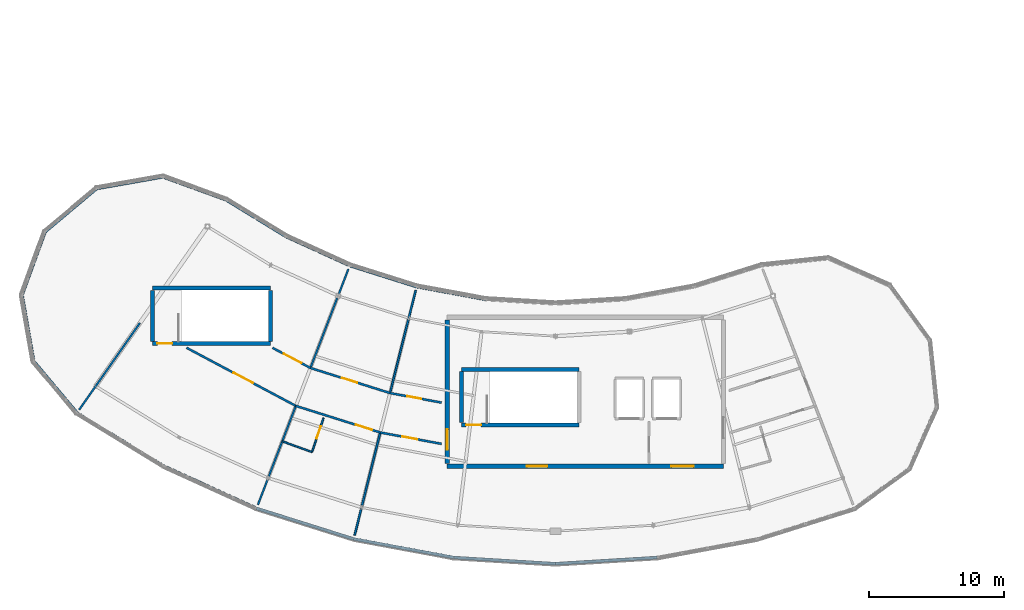
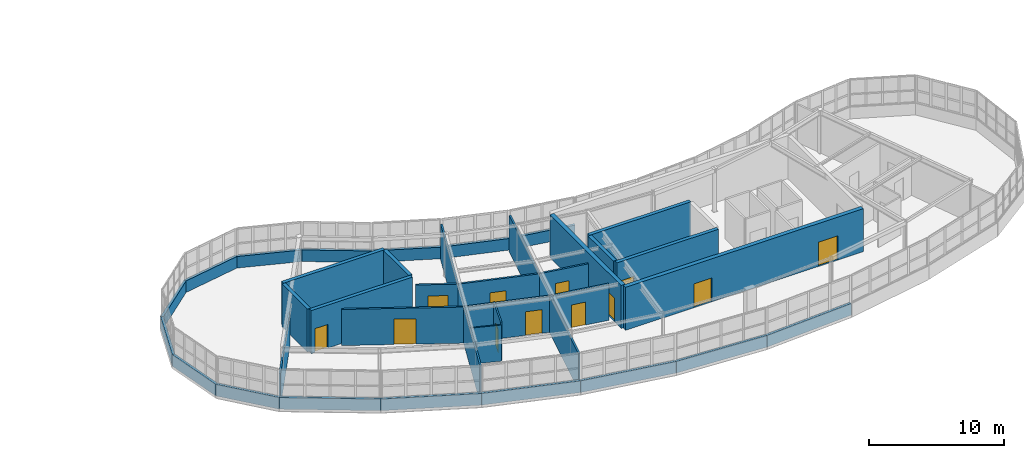
# One storey, part 53 of 60: 38 walls, 12 doors, 12 openings.
"""IFC4 building model written with IfcOpenShell, lengths in metres."""

from ifc_helpers import new_model, si_unit, direction, frame, frame_2d, origin, place, context, subcontext, project, spatial, rectangle, extrude, material, layer, layer_set, type_object, element, fill, save


model = new_model("IFC4")

# Units and contexts
model_context = context("Model", 3, precision=1e-05, world=origin(), true_north=direction((0.0, 1.0)))
body_context = subcontext(model_context, "Body", "Model", "MODEL_VIEW")
ifc_project = project(units=[si_unit("LENGTHUNIT", "METRE"), si_unit("AREAUNIT", "SQUARE_METRE"), si_unit("VOLUMEUNIT", "CUBIC_METRE"), si_unit("PLANEANGLEUNIT", "RADIAN"), si_unit("MASSUNIT", "GRAM", prefix="KILO")], contexts=[model_context])

# Site, building, storey
site_placement = place(None, origin())
site = spatial("IfcSite", under=ifc_project, at=site_placement, CompositionType="ELEMENT")
building_placement = place(site_placement, origin())
building = spatial("IfcBuilding", under=site, at=building_placement, Name="Tarnwether General Hospital", CompositionType="ELEMENT")
storey_placement = place(building_placement, frame((0.0, 0.0, 26.10009765625)))
storey = spatial("IfcBuildingStorey", under=building, at=storey_placement, Name="L06", CompositionType="ELEMENT", Elevation=26.10009765625)

# Walls
ifc_material_1 = material(Name="Streamlined white enamelled aluminium", Category="aluminium")
ifc_layer_1 = layer(ifc_material_1, 0.219970703125)
ifc_layer_set_1 = layer_set([ifc_layer_1], Name="Streamlined white enamelled aluminium")
wall_type_1 = type_object("IfcWallType", Name="WL-EX220", PredefinedType="STANDARD", material=ifc_layer_set_1)
wall_1_placement = place(storey_placement, frame((63.0810546875, 8.610107421875, 0.0), z_axis=(0.0, 0.0, 1.0), x_axis=(-0.852640903338, 0.522497358803, 0.0)))
element("IfcWall", 1, at=wall_1_placement, inside=storey, type_object=wall_type_1, Name="Ward SE Streamlined White Spandrel EW-L06-0247", PredefinedType="STANDARD", context=body_context, shape_type="SweptSolid", body=[
    extrude(rectangle(XDim=7.521484375, YDim=0.219970703125, at=frame_2d((3.7607421875, 0.0))), origin(), (0.0, 0.0, 1.0), 1.0498046875),
])
wall_2_placement = place(storey_placement, frame((69.925048828125, 5.490966796875, 0.0), z_axis=(0.0, 0.0, 1.0), x_axis=(-0.909953604353, 0.414710064895, 0.0)))
element("IfcWall", 2, at=wall_2_placement, inside=storey, type_object=wall_type_1, Name="Ward SE Streamlined White Spandrel EW-L06-0248", PredefinedType="STANDARD", context=body_context, shape_type="SweptSolid", body=[
    extrude(rectangle(XDim=7.521240234375, YDim=0.219970703125, at=frame_2d((3.7607421875, 0.0))), origin(), (0.0, 0.0, 1.0), 1.0498046875),
])
wall_3_placement = place(storey_placement, frame((77.097900390625, 3.22998046875, 0.0), z_axis=(0.0, 0.0, 1.0), x_axis=(-0.953740021466, 0.300632618747, 0.0)))
element("IfcWall", 3, at=wall_3_placement, inside=storey, type_object=wall_type_1, Name="Ward SE Streamlined White Spandrel EW-L06-0249", PredefinedType="STANDARD", context=body_context, shape_type="SweptSolid", body=[
    extrude(rectangle(XDim=7.520751953125, YDim=0.219970703125, at=frame_2d((3.76025390625, 0.0))), origin(), (0.0, 0.0, 1.0), 1.0498046875),
])
for number, where, z_axis, x_axis, name in (
    (4, (84.492919921875, 1.85888671875, 0.0), (0.0, 0.0, 1.0), (-0.983242805192, 0.18230081195, 0.0), "Ward SE Streamlined White Spandrel EW-L06-0250"),
    (5, (92.0, 1.39990234375, 0.0), (0.0, 0.0, 1.0), (-0.99813616181, 0.061026244242, 0.0), "Ward SE Streamlined White Spandrel EW-L06-0251"),
    (6, (99.507080078125, 1.85888671875, 0.0), (0.0, 0.0, 1.0), (-0.99813616181, -0.061026244242, 0.0), "Ward SE Streamlined White Spandrel EW-L06-0252"),
):
    element("IfcWall", number, at=place(storey_placement, frame(where, z_axis=z_axis, x_axis=x_axis)), inside=storey, type_object=wall_type_1, Name=name, PredefinedType="STANDARD", context=body_context, shape_type="SweptSolid", body=[
        extrude(rectangle(XDim=7.52099609375, YDim=0.219970703125, at=frame_2d((3.760498046875, 0.0))), origin(), (0.0, 0.0, 1.0), 1.0498046875),
    ])
wall_4_placement = place(storey_placement, frame((81.742919921875, 21.85888671875, 0.0), z_axis=(0.0, 0.0, 1.0), x_axis=(0.98327293422, -0.182138235501, 0.0)))
element("IfcWall", 7, at=wall_4_placement, inside=storey, type_object=wall_type_1, Name="Ward SE Streamlined White Spandrel EW-L06-0265", PredefinedType="STANDARD", context=body_context, shape_type="SweptSolid", body=[
    extrude(rectangle(XDim=5.1767578125, YDim=0.219970703125, at=frame_2d((2.58837890625, 0.0))), origin(), (0.0, 0.0, 1.0), 1.0498046875),
])
wall_5_placement = place(storey_placement, frame((76.804931640625, 23.416015625, 0.0), z_axis=(0.0, 0.0, 1.0), x_axis=(0.953706582316, -0.300738681994, 0.0)))
element("IfcWall", 8, at=wall_5_placement, inside=storey, type_object=wall_type_1, Name="Ward SE Streamlined White Spandrel EW-L06-0266", PredefinedType="STANDARD", context=body_context, shape_type="SweptSolid", body=[
    extrude(rectangle(XDim=5.177734375, YDim=0.219970703125, at=frame_2d((2.5888671875, 0.0))), origin(), (0.0, 0.0, 1.0), 1.0498046875),
])
for number, where, z_axis, x_axis, name in (
    (9, (72.093994140625, 25.56298828125, 0.0), (0.0, 0.0, 1.0), (0.909955822384, -0.414705198074, 0.0), "Ward SE Streamlined White Spandrel EW-L06-0267"),
    (10, (67.679931640625, 28.26806640625, 0.0), (0.0, 0.0, 1.0), (0.852628362135, -0.522517823698, 0.0), "Ward SE Streamlined White Spandrel EW-L06-0268"),
):
    element("IfcWall", number, at=place(storey_placement, frame(where, z_axis=z_axis, x_axis=x_axis)), inside=storey, type_object=wall_type_1, Name=name, PredefinedType="STANDARD", context=body_context, shape_type="SweptSolid", body=[
        extrude(rectangle(XDim=5.177001953125, YDim=0.219970703125, at=frame_2d((2.58837890625, 0.0))), origin(), (0.0, 0.0, 1.0), 1.0498046875),
    ])
wall_6_placement = place(storey_placement, frame((63.010986328125, 29.968017578125, 0.0), z_axis=(0.0, 0.0, 1.0), x_axis=(0.939654190044, -0.34212571247, 0.0)))
element("IfcWall", 11, at=wall_6_placement, inside=storey, type_object=wall_type_1, Name="Ward SE Streamlined White Spandrel EW-L06-0269", PredefinedType="STANDARD", context=body_context, shape_type="SweptSolid", body=[
    extrude(rectangle(XDim=4.96875, YDim=0.219970703125, at=frame_2d((2.484375, 0.0))), origin(), (0.0, 0.0, 1.0), 1.0498046875),
])
wall_7_placement = place(storey_placement, frame((58.116943359375, 29.10498046875, 0.0), z_axis=(0.0, 0.0, 1.0), x_axis=(0.984804817938, 0.173664822479, 0.0)))
element("IfcWall", 12, at=wall_7_placement, inside=storey, type_object=wall_type_1, Name="Ward SE Streamlined White Spandrel EW-L06-0270", PredefinedType="STANDARD", context=body_context, shape_type="SweptSolid", body=[
    extrude(rectangle(XDim=4.969482421875, YDim=0.219970703125, at=frame_2d((2.48486328125, 0.0))), origin(), (0.0, 0.0, 1.0), 1.0498046875),
])
wall_8_placement = place(storey_placement, frame((54.31005859375, 25.909912109375, 0.0), z_axis=(0.0, 0.0, 1.0), x_axis=(0.765973821879, 0.642871763415, 0.0)))
element("IfcWall", 13, at=wall_8_placement, inside=storey, type_object=wall_type_1, Name="Ward SE Streamlined White Spandrel EW-L06-0271", PredefinedType="STANDARD", context=body_context, shape_type="SweptSolid", body=[
    extrude(rectangle(XDim=4.969970703125, YDim=0.219970703125, at=frame_2d((2.48486328125, 0.0))), origin(), (0.0, 0.0, 1.0), 1.0498046875),
])
wall_9_placement = place(storey_placement, frame((52.611083984375, 21.240966796875, 0.0), z_axis=(0.0, 0.0, 1.0), x_axis=(0.341952160632, 0.939717361678, 0.0)))
element("IfcWall", 14, at=wall_9_placement, inside=storey, type_object=wall_type_1, Name="Ward SE Streamlined White Spandrel EW-L06-0272", PredefinedType="STANDARD", context=body_context, shape_type="SweptSolid", body=[
    extrude(rectangle(XDim=4.968505859375, YDim=0.219970703125, at=frame_2d((2.484375, 0.0))), origin(), (0.0, 0.0, 1.0), 1.0498046875),
])
wall_10_placement = place(storey_placement, frame((53.472900390625, 16.346923828125, 0.0), z_axis=(0.0, 0.0, 1.0), x_axis=(-0.173426579259, 0.984846801085, 0.0)))
element("IfcWall", 15, at=wall_10_placement, inside=storey, type_object=wall_type_1, Name="Ward SE Streamlined White Spandrel EW-L06-0273", PredefinedType="STANDARD", context=body_context, shape_type="SweptSolid", body=[
    extrude(rectangle(XDim=4.96923828125, YDim=0.219970703125, at=frame_2d((2.484619140625, 0.0))), origin(), (0.0, 0.0, 1.0), 1.0498046875),
])
wall_11_placement = place(storey_placement, frame((56.66796875, 12.5400390625, 0.0), z_axis=(0.0, 0.0, 1.0), x_axis=(-0.642871763415, 0.765973821879, 0.0)))
element("IfcWall", 16, at=wall_11_placement, inside=storey, type_object=wall_type_1, Name="Ward SE Streamlined White Spandrel EW-L06-0274", PredefinedType="STANDARD", context=body_context, shape_type="SweptSolid", body=[
    extrude(rectangle(XDim=4.969970703125, YDim=0.219970703125, at=frame_2d((2.48486328125, 0.0))), origin(), (0.0, 0.0, 1.0), 1.0498046875),
])

# Wall, opening, door
ifc_material_2 = material(Name="Gypsum plasterboard")
ifc_layer_2 = layer(ifc_material_2, 0.1201171875)
ifc_layer_set_2 = layer_set([ifc_layer_2], Name="Gypsum plasterboard")
wall_type_2 = type_object("IfcWallType", Name="WL-PT120", PredefinedType="PARTITIONING", material=ifc_layer_set_2)
wall_12_placement = place(storey_placement, frame((74.873046875, 12.16796875, 0.0), z_axis=(0.0, 0.0, 1.0), x_axis=(-0.319199781595, -0.947687448176, 0.0)))
wall_12 = element("IfcWall", 17, at=wall_12_placement, inside=storey, type_object=wall_type_2, Name="Interior Partition PT-L06-0499", PredefinedType="PARTITIONING", context=body_context, shape_type="SweptSolid", body=[
    extrude(rectangle(XDim=2.66015625, YDim=0.1201171875, at=frame_2d((1.330078125, 0.0))), origin(), (0.0, 0.0, 1.0), 3.52880859375),
])
opening_1_placement = place(wall_12_placement, frame((0.64990234375, 0.0, 0.0)))
opening_1 = element("IfcOpeningElement", 18, at=opening_1_placement, cuts=wall_12, Name="Opening D-10", PredefinedType="OPENING", context=body_context, shape_type="SweptSolid", body=[
    extrude(rectangle(XDim=0.9599609375, YDim=2.06005859375, at=frame_2d((0.47998046875, 1.030029296875))), frame((0.0, 0.070068359375, 0.0), z_axis=(0.0, -1.0, 0.0), x_axis=(1.0, 0.0, 0.0)), (0.0, 0.0, 1.0), 0.14013671875),
])
ifc_material_3 = material(Name="Anodised aluminium", Category="aluminium")
door_type_1 = type_object("IfcDoorType", Name="DR-IN10", OperationType="NOTDEFINED", PredefinedType="DOOR", material=ifc_material_3)
door_1_placement = place(opening_1_placement, origin())
door_1 = element("IfcDoor", 19, at=door_1_placement, inside=storey, type_object=door_type_1, Name="Interior Door DR-L06-0276", OperationType="SINGLE_SWING_RIGHT", OverallHeight=2.06005859375, OverallWidth=0.9599609375, PredefinedType="DOOR", context=body_context, shape_type="SweptSolid", body=[
    extrude(rectangle(XDim=0.9599609375, YDim=2.06005859375, at=frame_2d((0.47998046875, 1.030029296875))), frame((0.0, 0.02490234375, 0.0), z_axis=(0.0, -1.0, 0.0), x_axis=(1.0, 0.0, 0.0)), (0.0, 0.0, 1.0), 0.050048828125),
])
fill(opening_1, door_1)

# Walls
wall_13_placement = place(storey_placement, frame((71.823974609375, 10.43896484375, 0.0), z_axis=(0.0, 0.0, 1.0), x_axis=(0.940886080788, -0.338723165695, 0.0)))
element("IfcWall", 20, at=wall_13_placement, inside=storey, type_object=wall_type_2, Name="Interior Partition PT-L06-0500", PredefinedType="PARTITIONING", context=body_context, shape_type="SweptSolid", body=[
    extrude(rectangle(XDim=2.338134765625, YDim=0.1201171875, at=frame_2d((1.1689453125, 0.0))), origin(), (0.0, 0.0, 1.0), 3.27294921875),
])
ifc_material_4 = material(Name="Gypsum plasterboard")
ifc_layer_3 = layer(ifc_material_4, 0.139892578125)
ifc_layer_set_3 = layer_set([ifc_layer_3], Name="Gypsum plasterboard")
wall_type_3 = type_object("IfcWallType", Name="WL-PT140", PredefinedType="PARTITIONING", material=ifc_layer_set_3)
wall_14_placement = place(storey_placement, frame((72.826904296875, 13.052978515625, 0.0), z_axis=(0.0, 0.0, 1.0), x_axis=(-0.358342954102, -0.933590020965, 0.0)))
element("IfcWall", 21, at=wall_14_placement, inside=storey, type_object=wall_type_3, Name="Interior Partition PT-L06-0496", PredefinedType="PARTITIONING", context=body_context, shape_type="SweptSolid", body=[
    extrude(rectangle(XDim=7.8193359375, YDim=0.139892578125, at=frame_2d((3.90966796875, 0.0))), origin(), (0.0, 0.0, 1.0), 3.27294921875),
])
wall_15_placement = place(storey_placement, frame((73.902099609375, 15.85400390625, 0.0), z_axis=(0.0, 0.0, 1.0), x_axis=(0.358410014332, 0.933564278251, 0.0)))
element("IfcWall", 22, at=wall_15_placement, inside=storey, type_object=wall_type_3, Name="Interior Partition PT-L06-0498", PredefinedType="PARTITIONING", context=body_context, shape_type="SweptSolid", body=[
    extrude(rectangle(XDim=7.820556640625, YDim=0.139892578125, at=frame_2d((3.91015625, 0.0))), origin(), (0.0, 0.0, 1.0), 3.27294921875),
])
for number, where, z_axis, x_axis, name in (
    (23, (79.056884765625, 11.089111328125, 0.0), (0.0, 0.0, 1.0), (-0.241911207257, -0.970298391117, 0.0), "Interior Partition PT-L06-0502"),
    (24, (79.782958984375, 14.0, 0.0), (0.0, 0.0, 1.0), (0.241947927131, 0.970289235515, 0.0), "Interior Partition PT-L06-0504"),
):
    element("IfcWall", number, at=place(storey_placement, frame(where, z_axis=z_axis, x_axis=x_axis)), inside=storey, type_object=wall_type_3, Name=name, PredefinedType="PARTITIONING", context=body_context, shape_type="SweptSolid", body=[
        extrude(rectangle(XDim=7.8203125, YDim=0.139892578125, at=frame_2d((3.91015625, 0.0))), origin(), (0.0, 0.0, 1.0), 3.27783203125),
    ])
wall_16_placement = place(storey_placement, frame((61.31396484375, 19.175048828125, 0.0), z_axis=(0.0, 0.0, 1.0), x_axis=(-0.573682336084, -0.819077882295, 0.0)))
element("IfcWall", 25, at=wall_16_placement, inside=storey, type_object=wall_type_3, Name="Interior Partition PT-L06-0513", PredefinedType="PARTITIONING", context=body_context, shape_type="SweptSolid", body=[
    extrude(rectangle(XDim=7.81982421875, YDim=0.139892578125, at=frame_2d((3.909912109375, 0.0))), origin(), (0.0, 0.0, 1.0), 2.98486328125),
])

# Wall, opening, door
ifc_material_5 = material(Name="Gypsum plasterboard")
ifc_layer_4 = layer(ifc_material_5, 0.159912109375)
ifc_layer_set_4 = layer_set([ifc_layer_4], Name="Gypsum plasterboard")
wall_type_4 = type_object("IfcWallType", Name="WL-PT160", PredefinedType="PARTITIONING", material=ifc_layer_set_4)
wall_17_placement = place(storey_placement, frame((64.764892578125, 17.340087890625, 0.0), z_axis=(0.0, 0.0, 1.0), x_axis=(0.882926631997, -0.469510982311, 0.0)))
wall_17 = element("IfcWall", 26, at=wall_17_placement, inside=storey, type_object=wall_type_4, Name="Interior Partition PT-L06-0495", PredefinedType="PARTITIONING", context=body_context, shape_type="SweptSolid", body=[
    extrude(rectangle(XDim=9.131103515625, YDim=0.159912109375, at=frame_2d((4.5654296875, 0.0))), origin(), (0.0, 0.0, 1.0), 3.27294921875),
])
opening_2_placement = place(wall_17_placement, frame((3.916015625, 0.0, 0.0)))
opening_2 = element("IfcOpeningElement", 27, at=opening_2_placement, cuts=wall_17, Name="Opening SD-02", PredefinedType="OPENING", context=body_context, shape_type="SweptSolid", body=[
    extrude(rectangle(XDim=1.6201171875, YDim=2.300048828125, at=frame_2d((0.81005859375, 1.14990234375))), frame((0.0, 0.08984375, 0.0), z_axis=(0.0, -1.0, 0.0), x_axis=(1.0, 0.0, 0.0)), (0.0, 0.0, 1.0), 0.179931640625),
])
ifc_material_6 = material(Name="Anodised aluminium", Category="aluminium")
door_type_2 = type_object("IfcDoorType", Name="DR-OR02", OperationType="NOTDEFINED", PredefinedType="DOOR", material=ifc_material_6)
door_2_placement = place(opening_2_placement, origin())
door_2 = element("IfcDoor", 28, at=door_2_placement, inside=storey, type_object=door_type_2, Name="Interior Door DR-L06-0274", OperationType="SLIDING_TO_RIGHT", OverallHeight=2.300048828125, OverallWidth=1.6201171875, PredefinedType="DOOR", context=body_context, shape_type="SweptSolid", body=[
    extrude(rectangle(XDim=1.6201171875, YDim=2.300048828125, at=frame_2d((0.81005859375, 1.14990234375))), frame((0.0, 0.02490234375, 0.0), z_axis=(0.0, -1.0, 0.0), x_axis=(1.0, 0.0, 0.0)), (0.0, 0.0, 1.0), 0.050048828125),
])
fill(opening_2, door_2)

wall_18_placement = place(storey_placement, frame((71.10693359375, 17.340087890625, 0.0), z_axis=(0.0, 0.0, 1.0), x_axis=(0.882964896182, -0.469439018522, 0.0)))
wall_18 = element("IfcWall", 29, at=wall_18_placement, inside=storey, type_object=wall_type_4, Name="Interior Partition PT-L06-0497", PredefinedType="PARTITIONING", context=body_context, shape_type="SweptSolid", body=[
    extrude(rectangle(XDim=3.165771484375, YDim=0.159912109375, at=frame_2d((1.5830078125, 0.0))), origin(), (0.0, 0.0, 1.0), 3.27294921875),
])
opening_3_placement = place(wall_18_placement, frame((0.93310546875, 0.0, 0.0)))
opening_3 = element("IfcOpeningElement", 30, at=opening_3_placement, cuts=wall_18, Name="Opening SD-03", PredefinedType="OPENING", context=body_context, shape_type="SweptSolid", body=[
    extrude(rectangle(XDim=1.47998046875, YDim=2.260009765625, at=frame_2d((0.739990234375, 1.1298828125))), frame((0.0, 0.08984375, 0.0), z_axis=(0.0, -1.0, 0.0), x_axis=(1.0, 0.0, 0.0)), (0.0, 0.0, 1.0), 0.179931640625),
])
ifc_material_7 = material(Name="Anodised aluminium", Category="aluminium")
door_type_3 = type_object("IfcDoorType", Name="DR-OR03", OperationType="NOTDEFINED", PredefinedType="DOOR", material=ifc_material_7)
door_3_placement = place(opening_3_placement, origin())
door_3 = element("IfcDoor", 31, at=door_3_placement, inside=storey, type_object=door_type_3, Name="Interior Door DR-L06-0275", OperationType="SLIDING_TO_LEFT", OverallHeight=2.260009765625, OverallWidth=1.47998046875, PredefinedType="DOOR", context=body_context, shape_type="SweptSolid", body=[
    extrude(rectangle(XDim=1.47998046875, YDim=2.260009765625, at=frame_2d((0.739990234375, 1.1298828125))), frame((0.0, 0.02490234375, 0.0), z_axis=(0.0, -1.0, 0.0), x_axis=(1.0, 0.0, 0.0)), (0.0, 0.0, 1.0), 0.050048828125),
])
fill(opening_3, door_3)

wall_19_placement = place(storey_placement, frame((72.826904296875, 13.052978515625, 0.0), z_axis=(0.0, 0.0, 1.0), x_axis=(0.953736183483, -0.30064479426, 0.0)))
wall_19 = element("IfcWall", 32, at=wall_19_placement, inside=storey, type_object=wall_type_4, Name="Interior Partition PT-L06-0501", PredefinedType="PARTITIONING", context=body_context, shape_type="SweptSolid", body=[
    extrude(rectangle(XDim=6.5322265625, YDim=0.159912109375, at=frame_2d((3.26611328125, 0.0))), origin(), (0.0, 0.0, 1.0), 3.27294921875),
])
opening_4_placement = place(wall_19_placement, frame((4.632080078125, 0.0, 0.0)))
opening_4 = element("IfcOpeningElement", 33, at=opening_4_placement, cuts=wall_19, Name="Opening D-04", PredefinedType="OPENING", context=body_context, shape_type="SweptSolid", body=[
    extrude(rectangle(XDim=1.260009765625, YDim=2.139892578125, at=frame_2d((0.6298828125, 1.06982421875))), frame((0.0, 0.08984375, 0.0), z_axis=(0.0, -1.0, 0.0), x_axis=(1.0, 0.0, 0.0)), (0.0, 0.0, 1.0), 0.179931640625),
])
ifc_material_8 = material(Name="Anodised aluminium", Category="aluminium")
door_type_4 = type_object("IfcDoorType", Name="DR-IN04", OperationType="NOTDEFINED", PredefinedType="DOOR", material=ifc_material_8)
door_4_placement = place(opening_4_placement, origin())
door_4 = element("IfcDoor", 34, at=door_4_placement, inside=storey, type_object=door_type_4, Name="Interior Door DR-L06-0277", OperationType="SINGLE_SWING_LEFT", OverallHeight=2.139892578125, OverallWidth=1.260009765625, PredefinedType="DOOR", context=body_context, shape_type="SweptSolid", body=[
    extrude(rectangle(XDim=1.260009765625, YDim=2.139892578125, at=frame_2d((0.6298828125, 1.06982421875))), frame((0.0, 0.02490234375, 0.0), z_axis=(0.0, -1.0, 0.0), x_axis=(1.0, 0.0, 0.0)), (0.0, 0.0, 1.0), 0.050048828125),
])
fill(opening_4, door_4)

wall_20_placement = place(storey_placement, frame((73.902099609375, 15.85400390625, 0.0), z_axis=(0.0, 0.0, 1.0), x_axis=(0.953727365227, -0.300672767002, 0.0)))
wall_20 = element("IfcWall", 35, at=wall_20_placement, inside=storey, type_object=wall_type_4, Name="Interior Partition PT-L06-0503", PredefinedType="PARTITIONING", context=body_context, shape_type="SweptSolid", body=[
    extrude(rectangle(XDim=6.166259765625, YDim=0.159912109375, at=frame_2d((3.0830078125, 0.0))), origin(), (0.0, 0.0, 1.0), 3.27294921875),
])
opening_5_placement = place(wall_20_placement, frame((2.43310546875, 0.0, 0.0)))
opening_5 = element("IfcOpeningElement", 36, at=opening_5_placement, cuts=wall_20, Name="Opening D-05", PredefinedType="OPENING", context=body_context, shape_type="SweptSolid", body=[
    extrude(rectangle(XDim=1.199951171875, YDim=2.1201171875, at=frame_2d((0.60009765625, 1.06005859375))), frame((0.0, 0.08984375, 0.0), z_axis=(0.0, -1.0, 0.0), x_axis=(1.0, 0.0, 0.0)), (0.0, 0.0, 1.0), 0.179931640625),
])
ifc_material_9 = material(Name="Anodised aluminium", Category="aluminium")
door_type_5 = type_object("IfcDoorType", Name="DR-IN05", OperationType="NOTDEFINED", PredefinedType="DOOR", material=ifc_material_9)
door_5_placement = place(opening_5_placement, origin())
door_5 = element("IfcDoor", 37, at=door_5_placement, inside=storey, type_object=door_type_5, Name="Interior Door DR-L06-0278", OperationType="SINGLE_SWING_RIGHT", OverallHeight=2.1201171875, OverallWidth=1.199951171875, PredefinedType="DOOR", context=body_context, shape_type="SweptSolid", body=[
    extrude(rectangle(XDim=1.199951171875, YDim=2.1201171875, at=frame_2d((0.60009765625, 1.06005859375))), frame((0.0, 0.02490234375, 0.0), z_axis=(0.0, -1.0, 0.0), x_axis=(1.0, 0.0, 0.0)), (0.0, 0.0, 1.0), 0.050048828125),
])
fill(opening_5, door_5)

wall_21_placement = place(storey_placement, frame((79.056884765625, 11.089111328125, 0.0), z_axis=(0.0, 0.0, 1.0), x_axis=(0.983258469263, -0.182216307235, 0.0)))
wall_21 = element("IfcWall", 38, at=wall_21_placement, inside=storey, type_object=wall_type_4, Name="Interior Partition PT-L06-0505", PredefinedType="PARTITIONING", context=body_context, shape_type="SweptSolid", body=[
    extrude(rectangle(XDim=4.6103515625, YDim=0.159912109375, at=frame_2d((2.30517578125, 0.0))), origin(), (0.0, 0.0, 1.0), 3.27783203125),
])
opening_6_placement = place(wall_21_placement, frame((1.655029296875, 0.0, 0.0)))
opening_6 = element("IfcOpeningElement", 39, at=opening_6_placement, cuts=wall_21, Name="Opening D-07", PredefinedType="OPENING", context=body_context, shape_type="SweptSolid", body=[
    extrude(rectangle(XDim=1.1201171875, YDim=2.080078125, at=frame_2d((0.56005859375, 1.0400390625))), frame((0.0, 0.08984375, 0.0), z_axis=(0.0, -1.0, 0.0), x_axis=(1.0, 0.0, 0.0)), (0.0, 0.0, 1.0), 0.179931640625),
])
ifc_material_10 = material(Name="Anodised aluminium", Category="aluminium")
door_type_6 = type_object("IfcDoorType", Name="DR-IN07", OperationType="NOTDEFINED", PredefinedType="DOOR", material=ifc_material_10)
door_6_placement = place(opening_6_placement, origin())
door_6 = element("IfcDoor", 40, at=door_6_placement, inside=storey, type_object=door_type_6, Name="Interior Door DR-L06-0279", OperationType="SINGLE_SWING_LEFT", OverallHeight=2.080078125, OverallWidth=1.1201171875, PredefinedType="DOOR", context=body_context, shape_type="SweptSolid", body=[
    extrude(rectangle(XDim=1.1201171875, YDim=2.080078125, at=frame_2d((0.56005859375, 1.0400390625))), frame((0.0, 0.02490234375, 0.0), z_axis=(0.0, -1.0, 0.0), x_axis=(1.0, 0.0, 0.0)), (0.0, 0.0, 1.0), 0.050048828125),
])
fill(opening_6, door_6)

wall_22_placement = place(storey_placement, frame((79.782958984375, 14.0, 0.0), z_axis=(0.0, 0.0, 1.0), x_axis=(0.983234305922, -0.182346646962, 0.0)))
wall_22 = element("IfcWall", 41, at=wall_22_placement, inside=storey, type_object=wall_type_4, Name="Interior Partition PT-L06-0506", PredefinedType="PARTITIONING", context=body_context, shape_type="SweptSolid", body=[
    extrude(rectangle(XDim=3.8720703125, YDim=0.159912109375, at=frame_2d((1.93603515625, 0.0))), origin(), (0.0, 0.0, 1.0), 3.27783203125),
])
opening_7_placement = place(wall_22_placement, frame((1.285888671875, 0.0, 0.0)))
opening_7 = element("IfcOpeningElement", 42, at=opening_7_placement, cuts=wall_22, Name="Opening D-08", PredefinedType="OPENING", context=body_context, shape_type="SweptSolid", body=[
    extrude(rectangle(XDim=1.06005859375, YDim=2.10009765625, at=frame_2d((0.530029296875, 1.050048828125))), frame((0.0, 0.08984375, 0.0), z_axis=(0.0, -1.0, 0.0), x_axis=(1.0, 0.0, 0.0)), (0.0, 0.0, 1.0), 0.179931640625),
])
ifc_material_11 = material(Name="Anodised aluminium", Category="aluminium")
door_type_7 = type_object("IfcDoorType", Name="DR-IN08", OperationType="NOTDEFINED", PredefinedType="DOOR", material=ifc_material_11)
door_7_placement = place(opening_7_placement, origin())
door_7 = element("IfcDoor", 43, at=door_7_placement, inside=storey, type_object=door_type_7, Name="Interior Door DR-L06-0280", OperationType="SINGLE_SWING_RIGHT", OverallHeight=2.10009765625, OverallWidth=1.06005859375, PredefinedType="DOOR", context=body_context, shape_type="SweptSolid", body=[
    extrude(rectangle(XDim=1.06005859375, YDim=2.10009765625, at=frame_2d((0.530029296875, 1.050048828125))), frame((0.0, 0.02490234375, 0.0), z_axis=(0.0, -1.0, 0.0), x_axis=(1.0, 0.0, 0.0)), (0.0, 0.0, 1.0), 0.050048828125),
])
fill(opening_7, door_7)

ifc_material_12 = material(Name="Concrete 50 MPa", Category="concrete")
ifc_layer_5 = layer(ifc_material_12, 0.300048828125)
ifc_layer_set_5 = layer_set([ifc_layer_5], Name="Concrete 50 MPa")
wall_type_5 = type_object("IfcWallType", Name="WL-SW300", PredefinedType="SHEAR", material=ifc_layer_set_5)
wall_23_placement = place(storey_placement, frame((85.050048828125, 11.64990234375, 0.0), z_axis=(0.0, 0.0, 1.0), x_axis=(1.0, 0.0, 0.0)))
wall_23 = element("IfcWall", 44, at=wall_23_placement, inside=storey, type_object=wall_type_5, Name="Stairwell Shear Wall STW-ST-02-L06-B", PredefinedType="SHEAR", context=body_context, shape_type="SweptSolid", body=[
    extrude(rectangle(XDim=8.699951171875, YDim=0.300048828125, at=frame_2d((4.35009765625, 0.0))), origin(), (0.0, 0.0, 1.0), 3.89990234375),
])
opening_8_placement = place(wall_23_placement, frame((0.35009765625, 0.0, 0.0)))
opening_8 = element("IfcOpeningElement", 45, at=opening_8_placement, cuts=wall_23, Name="Opening FD-06", PredefinedType="OPENING", context=body_context, shape_type="SweptSolid", body=[
    extrude(rectangle(XDim=1.10009765625, YDim=2.14990234375, at=frame_2d((0.550048828125, 1.074951171875))), frame((0.0, 0.16015625, 0.0), z_axis=(0.0, -1.0, 0.0), x_axis=(1.0, 0.0, 0.0)), (0.0, 0.0, 1.0), 0.320068359375),
])
ifc_material_13 = material(Name="Anodised aluminium", Category="aluminium")
door_type_8 = type_object("IfcDoorType", Name="DR-FD06", OperationType="NOTDEFINED", PredefinedType="DOOR", material=ifc_material_13)
door_8_placement = place(opening_8_placement, origin())
door_8 = element("IfcDoor", 46, at=door_8_placement, inside=storey, type_object=door_type_8, Name="Stairwell ST-02 Safe-Path Fire Door L06", OperationType="SINGLE_SWING_RIGHT", OverallHeight=2.14990234375, OverallWidth=1.10009765625, PredefinedType="DOOR", context=body_context, shape_type="SweptSolid", body=[
    extrude(rectangle(XDim=1.10009765625, YDim=2.14990234375, at=frame_2d((0.550048828125, 1.074951171875))), frame((0.0, 0.02490234375, 0.0), z_axis=(0.0, -1.0, 0.0), x_axis=(1.0, 0.0, 0.0)), (0.0, 0.0, 1.0), 0.050048828125),
])
fill(opening_8, door_8)

# Walls
wall_24_placement = place(storey_placement, frame((93.75, 15.75, 0.0), z_axis=(0.0, 0.0, 1.0), x_axis=(-1.0, 0.0, 0.0)))
element("IfcWall", 47, at=wall_24_placement, inside=storey, type_object=wall_type_5, Name="Stairwell Shear Wall STW-ST-02-L06-N", PredefinedType="SHEAR", context=body_context, shape_type="SweptSolid", body=[
    extrude(rectangle(XDim=8.699951171875, YDim=0.300048828125, at=frame_2d((4.35009765625, 0.0))), origin(), (0.0, 0.0, 1.0), 3.89990234375),
])
wall_25_placement = place(storey_placement, frame((85.050048828125, 11.820068359375, 0.0), z_axis=(0.0, 0.0, 1.0), x_axis=(0.0, 1.0, 0.0)))
element("IfcWall", 48, at=wall_25_placement, inside=storey, type_object=wall_type_5, Name="Stairwell Shear Wall STW-ST-02-L06-L", PredefinedType="SHEAR", context=body_context, shape_type="SweptSolid", body=[
    extrude(rectangle(XDim=3.760009765625, YDim=0.300048828125, at=frame_2d((1.8798828125, 0.0))), origin(), (0.0, 0.0, 1.0), 3.89990234375),
])

# Wall, opening, door
wall_26_placement = place(storey_placement, frame((62.25, 17.64990234375, 0.0), z_axis=(0.0, 0.0, 1.0), x_axis=(1.0, 0.0, 0.0)))
wall_26 = element("IfcWall", 49, at=wall_26_placement, inside=storey, type_object=wall_type_5, Name="Stairwell Shear Wall STW-ST-09-L06-B", PredefinedType="SHEAR", context=body_context, shape_type="SweptSolid", body=[
    extrude(rectangle(XDim=8.699951171875, YDim=0.300048828125, at=frame_2d((4.35009765625, 0.0))), origin(), (0.0, 0.0, 1.0), 3.89990234375),
])
opening_9_placement = place(wall_26_placement, frame((0.35009765625, 0.0, 0.0)))
opening_9 = element("IfcOpeningElement", 50, at=opening_9_placement, cuts=wall_26, Name="Opening FD-06", PredefinedType="OPENING", context=body_context, shape_type="SweptSolid", body=[
    extrude(rectangle(XDim=1.10009765625, YDim=2.14990234375, at=frame_2d((0.550048828125, 1.074951171875))), frame((0.0, 0.16015625, 0.0), z_axis=(0.0, -1.0, 0.0), x_axis=(1.0, 0.0, 0.0)), (0.0, 0.0, 1.0), 0.320068359375),
])
door_9_placement = place(opening_9_placement, origin())
door_9 = element("IfcDoor", 51, at=door_9_placement, inside=storey, type_object=door_type_8, Name="Stairwell ST-09 Safe-Path Fire Door L06", OperationType="SINGLE_SWING_LEFT", OverallHeight=2.14990234375, OverallWidth=1.10009765625, PredefinedType="DOOR", context=body_context, shape_type="SweptSolid", body=[
    extrude(rectangle(XDim=1.10009765625, YDim=2.14990234375, at=frame_2d((0.550048828125, 1.074951171875))), frame((0.0, 0.02490234375, 0.0), z_axis=(0.0, -1.0, 0.0), x_axis=(1.0, 0.0, 0.0)), (0.0, 0.0, 1.0), 0.050048828125),
])
fill(opening_9, door_9)

# Walls
wall_27_placement = place(storey_placement, frame((70.949951171875, 21.75, 0.0), z_axis=(0.0, 0.0, 1.0), x_axis=(-1.0, 0.0, 0.0)))
element("IfcWall", 52, at=wall_27_placement, inside=storey, type_object=wall_type_5, Name="Stairwell Shear Wall STW-ST-09-L06-N", PredefinedType="SHEAR", context=body_context, shape_type="SweptSolid", body=[
    extrude(rectangle(XDim=8.699951171875, YDim=0.300048828125, at=frame_2d((4.35009765625, 0.0))), origin(), (0.0, 0.0, 1.0), 3.89990234375),
])
for number, where, z_axis, x_axis, name in (
    (53, (62.25, 17.820068359375, 0.0), (0.0, 0.0, 1.0), (0.0, 1.0, 0.0), "Stairwell Shear Wall STW-ST-09-L06-L"),
    (54, (70.949951171875, 17.820068359375, 0.0), (0.0, 0.0, 1.0), (0.0, 1.0, 0.0), "Stairwell Shear Wall STW-ST-09-L06-F"),
):
    element("IfcWall", number, at=place(storey_placement, frame(where, z_axis=z_axis, x_axis=x_axis)), inside=storey, type_object=wall_type_5, Name=name, PredefinedType="SHEAR", context=body_context, shape_type="SweptSolid", body=[
        extrude(rectangle(XDim=3.760009765625, YDim=0.300048828125, at=frame_2d((1.8798828125, 0.0))), origin(), (0.0, 0.0, 1.0), 3.89990234375),
    ])

# Wall, openings, doors
ifc_material_14 = material(Name="Concrete 50 MPa", Category="concrete")
ifc_layer_6 = layer(ifc_material_14, 0.35009765625)
ifc_layer_set_6 = layer_set([ifc_layer_6], Name="Concrete 50 MPa")
wall_type_6 = type_object("IfcWallType", Name="WL-SW350", PredefinedType="SHEAR", material=ifc_layer_set_6)
wall_28_placement = place(storey_placement, frame((104.39990234375, 8.60009765625, 0.0), z_axis=(0.0, 0.0, 1.0), x_axis=(-1.0, 0.0, 0.0)))
wall_28 = element("IfcWall", 55, at=wall_28_placement, inside=storey, type_object=wall_type_6, Name="Core Shear Wall CWALL-K2-L06-S", PredefinedType="SHEAR", context=body_context, shape_type="SweptSolid", body=[
    extrude(rectangle(XDim=20.39990234375, YDim=0.35009765625, at=frame_2d((10.199951171875, 0.0))), origin(), (0.0, 0.0, 1.0), 3.89990234375),
])
opening_10_placement = place(wall_28_placement, frame((2.199951171875, 0.0, 0.0)))
opening_10 = element("IfcOpeningElement", 56, at=opening_10_placement, cuts=wall_28, Name="Opening FD-01", PredefinedType="OPENING", context=body_context, shape_type="SweptSolid", body=[
    extrude(rectangle(XDim=1.639892578125, YDim=2.199951171875, at=frame_2d((0.81982421875, 1.10009765625))), frame((0.0, 0.18505859375, 0.0), z_axis=(0.0, -1.0, 0.0), x_axis=(1.0, 0.0, 0.0)), (0.0, 0.0, 1.0), 0.3701171875),
])
opening_11_placement = place(wall_28_placement, frame((13.0, 0.0, 0.0)))
opening_11 = element("IfcOpeningElement", 57, at=opening_11_placement, cuts=wall_28, Name="Opening FD-02", PredefinedType="OPENING", context=body_context, shape_type="SweptSolid", body=[
    extrude(rectangle(XDim=1.52001953125, YDim=2.159912109375, at=frame_2d((0.760009765625, 1.080078125))), frame((0.0, 0.18505859375, 0.0), z_axis=(0.0, -1.0, 0.0), x_axis=(1.0, 0.0, 0.0)), (0.0, 0.0, 1.0), 0.3701171875),
])
ifc_material_15 = material(Name="Anodised aluminium", Category="aluminium")
door_type_9 = type_object("IfcDoorType", Name="DR-FD01", OperationType="NOTDEFINED", PredefinedType="DOOR", material=ifc_material_15)
door_10_placement = place(opening_10_placement, origin())
door_10 = element("IfcDoor", 58, at=door_10_placement, inside=storey, type_object=door_type_9, Name="Core K2 Lobby Fire Door L06", OperationType="DOUBLE_DOOR_SINGLE_SWING", OverallHeight=2.199951171875, OverallWidth=1.639892578125, PredefinedType="DOOR", context=body_context, shape_type="SweptSolid", body=[
    extrude(rectangle(XDim=1.639892578125, YDim=2.199951171875, at=frame_2d((0.81982421875, 1.10009765625))), frame((0.0, 0.02490234375, 0.0), z_axis=(0.0, -1.0, 0.0), x_axis=(1.0, 0.0, 0.0)), (0.0, 0.0, 1.0), 0.050048828125),
])
fill(opening_10, door_10)
ifc_material_16 = material(Name="Anodised aluminium", Category="aluminium")
door_type_10 = type_object("IfcDoorType", Name="DR-FD02", OperationType="NOTDEFINED", PredefinedType="DOOR", material=ifc_material_16)
door_11_placement = place(opening_11_placement, origin())
door_11 = element("IfcDoor", 59, at=door_11_placement, inside=storey, type_object=door_type_10, Name="Core K2 Firefighting Lobby Door L06", OperationType="SINGLE_SWING_RIGHT", OverallHeight=2.159912109375, OverallWidth=1.52001953125, PredefinedType="DOOR", context=body_context, shape_type="SweptSolid", body=[
    extrude(rectangle(XDim=1.52001953125, YDim=2.159912109375, at=frame_2d((0.760009765625, 1.080078125))), frame((0.0, 0.02490234375, 0.0), z_axis=(0.0, -1.0, 0.0), x_axis=(1.0, 0.0, 0.0)), (0.0, 0.0, 1.0), 0.050048828125),
])
fill(opening_11, door_11)

# Wall, opening, door
wall_29_placement = place(storey_placement, frame((84.0, 8.800048828125, 0.0), z_axis=(0.0, 0.0, 1.0), x_axis=(0.0, 1.0, 0.0)))
wall_29 = element("IfcWall", 60, at=wall_29_placement, inside=storey, type_object=wall_type_6, Name="Core Shear Wall CWALL-K2-L06-W", PredefinedType="SHEAR", context=body_context, shape_type="SweptSolid", body=[
    extrude(rectangle(XDim=10.599853515625, YDim=0.35009765625, at=frame_2d((5.2998046875, 0.0))), origin(), (0.0, 0.0, 1.0), 3.89990234375),
])
opening_12_placement = place(wall_29_placement, frame((1.0, 0.0, 0.0)))
opening_12 = element("IfcOpeningElement", 61, at=opening_12_placement, cuts=wall_29, Name="Opening FD-02", PredefinedType="OPENING", context=body_context, shape_type="SweptSolid", body=[
    extrude(rectangle(XDim=1.52001953125, YDim=2.159912109375, at=frame_2d((0.760009765625, 1.080078125))), frame((0.0, 0.18505859375, 0.0), z_axis=(0.0, -1.0, 0.0), x_axis=(1.0, 0.0, 0.0)), (0.0, 0.0, 1.0), 0.3701171875),
])
door_12_placement = place(opening_12_placement, origin())
door_12 = element("IfcDoor", 62, at=door_12_placement, inside=storey, type_object=door_type_10, Name="Core K2 Ward Corridor Fire Door L06", OperationType="SINGLE_SWING_LEFT", OverallHeight=2.159912109375, OverallWidth=1.52001953125, PredefinedType="DOOR", context=body_context, shape_type="SweptSolid", body=[
    extrude(rectangle(XDim=1.52001953125, YDim=2.159912109375, at=frame_2d((0.760009765625, 1.080078125))), frame((0.0, 0.02490234375, 0.0), z_axis=(0.0, -1.0, 0.0), x_axis=(1.0, 0.0, 0.0)), (0.0, 0.0, 1.0), 0.050048828125),
])
fill(opening_12, door_12)

save(model, "model.ifc")
